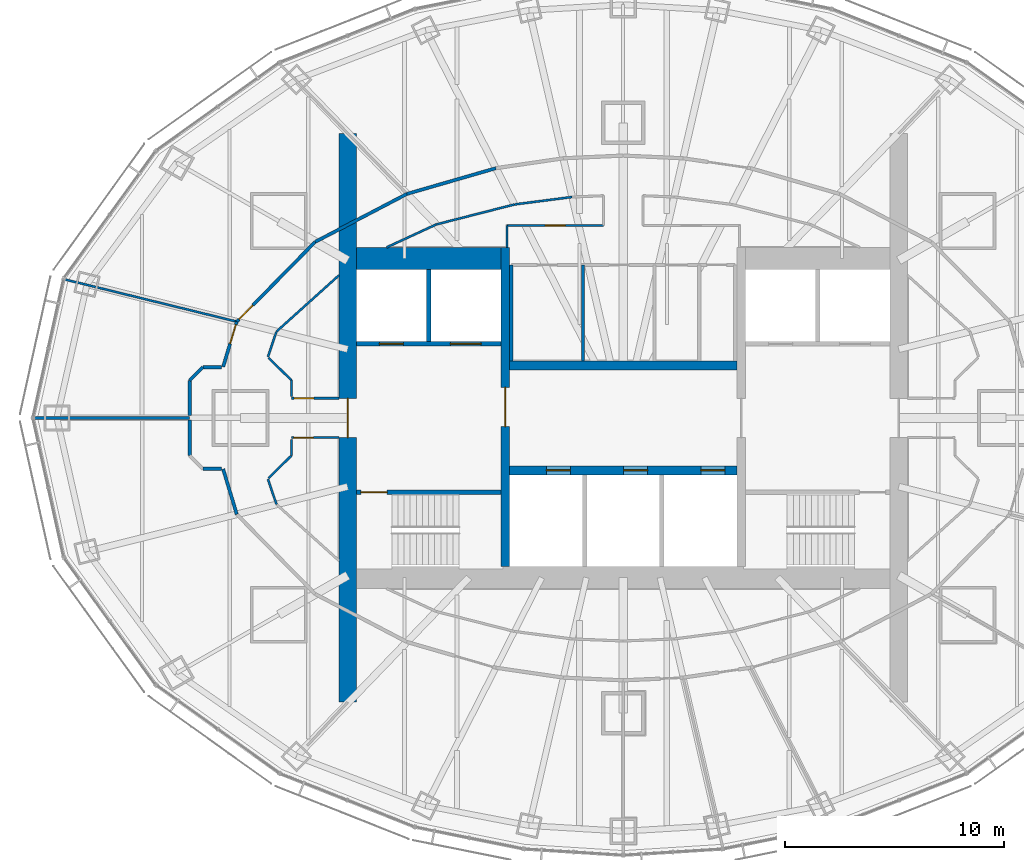
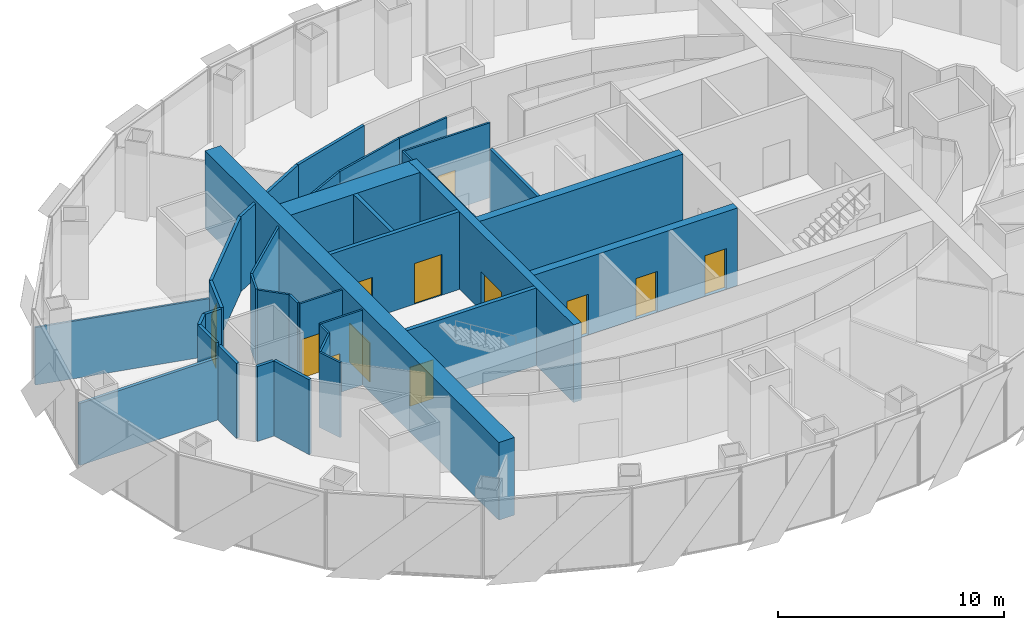
# One storey, part 12 of 17: 36 walls, 13 doors, 13 openings.
"""IFC4 building model written with IfcOpenShell, lengths in metres."""

from ifc_helpers import new_model, si_unit, direction, frame, frame_2d, origin, place, context, subcontext, project, spatial, rectangle, extrude, material, layer, layer_set, type_object, element, fill, save


model = new_model("IFC4")

# Units and contexts
model_context = context("Model", 3, precision=1e-05, world=origin(), true_north=direction((0.0, 1.0)))
body_context = subcontext(model_context, "Body", "Model", "MODEL_VIEW")
ifc_project = project(units=[si_unit("LENGTHUNIT", "METRE"), si_unit("AREAUNIT", "SQUARE_METRE"), si_unit("VOLUMEUNIT", "CUBIC_METRE"), si_unit("PLANEANGLEUNIT", "RADIAN"), si_unit("MASSUNIT", "GRAM", prefix="KILO")], contexts=[model_context])

# Site, building, storey
site_placement = place(None, origin())
site = spatial("IfcSite", under=ifc_project, at=site_placement, CompositionType="ELEMENT")
building_placement = place(site_placement, origin())
building = spatial("IfcBuilding", under=site, at=building_placement, Name="Lantaw Convention Tower", CompositionType="ELEMENT")
storey_placement = place(building_placement, frame((0.0, 0.0, 220.0)))
storey = spatial("IfcBuildingStorey", under=building, at=storey_placement, Name="L51", CompositionType="ELEMENT", Elevation=220.0)

# Wall
ifc_material_1 = material(Name="Concrete C60/75", Category="concrete")
ifc_layer_1 = layer(ifc_material_1, 1.0)
ifc_layer_set_1 = layer_set([ifc_layer_1], Name="Core wall 1000")
wall_type_1 = type_object("IfcWallType", Name="Core wall 1000", PredefinedType="SHEAR", material=ifc_layer_set_1)
wall_1_placement = place(storey_placement, frame((-5.60009765625, 7.300048828125, 0.0), z_axis=(0.0, 0.0, 1.0), x_axis=(-1.0, 0.0, 0.0)))
element("IfcWall", 1, at=wall_1_placement, inside=storey, type_object=wall_type_1, Name="Core wall NW", PredefinedType="SHEAR", context=body_context, shape_type="SweptSolid", body=[
    extrude(rectangle(XDim=6.599853515625, YDim=1.0, at=frame_2d((3.2998046875, 0.0))), origin(), (0.0, 0.0, 1.0), 4.199951171875),
])

# Wall, opening, door
ifc_layer_2 = layer(ifc_material_1, 0.199951171875)
ifc_layer_set_2 = layer_set([ifc_layer_2], Name="Core wall 200")
wall_type_2 = type_object("IfcWallType", Name="Core wall 200", PredefinedType="SHEAR", material=ifc_layer_set_2)
wall_2_placement = place(storey_placement, frame((-5.60009765625, -3.39990234375, 0.0), z_axis=(0.0, 0.0, 1.0), x_axis=(-1.0, 0.0, 0.0)))
wall_2 = element("IfcWall", 2, at=wall_2_placement, inside=storey, type_object=wall_type_2, Name="Core wall WS", PredefinedType="SHEAR", context=body_context, shape_type="SweptSolid", body=[
    extrude(rectangle(XDim=6.599853515625, YDim=0.199951171875, at=frame_2d((3.2998046875, 0.0))), origin(), (0.0, 0.0, 1.0), 4.199951171875),
])
opening_1_placement = place(wall_2_placement, frame((5.199951171875, 0.0, 0.0)))
opening_1 = element("IfcOpeningElement", 3, at=opening_1_placement, cuts=wall_2, Name="Opening L51.04", PredefinedType="OPENING", context=body_context, shape_type="SweptSolid", body=[
    extrude(rectangle(XDim=1.199951171875, YDim=2.10009765625, at=frame_2d((0.60009765625, 1.050048828125))), frame((0.0, 0.10986328125, 0.0), z_axis=(0.0, -1.0, 0.0), x_axis=(1.0, 0.0, 0.0)), (0.0, 0.0, 1.0), 0.219970703125),
])
ifc_material_2 = material(Name="Steel, fire rated", Category="steel")
door_type_1 = type_object("IfcDoorType", Name="Stair door FD90", OperationType="SINGLE_SWING_RIGHT", PredefinedType="DOOR", material=ifc_material_2)
door_1_placement = place(opening_1_placement, origin())
door_1 = element("IfcDoor", 4, at=door_1_placement, inside=storey, type_object=door_type_1, Name="Exit stair door", OperationType="SINGLE_SWING_RIGHT", OverallHeight=2.10009765625, OverallWidth=1.199951171875, PredefinedType="DOOR", context=body_context, shape_type="SweptSolid", body=[
    extrude(rectangle(XDim=1.199951171875, YDim=2.10009765625, at=frame_2d((0.60009765625, 1.050048828125))), frame((0.0, 0.02490234375, 0.0), z_axis=(0.0, -1.0, 0.0), x_axis=(1.0, 0.0, 0.0)), (0.0, 0.0, 1.0), 0.050048828125),
])
fill(opening_1, door_1)

ifc_layer_3 = layer(ifc_material_1, 0.39990234375)
ifc_layer_set_3 = layer_set([ifc_layer_3], Name="Core wall 400")
wall_type_3 = type_object("IfcWallType", Name="Core wall 400", PredefinedType="SHEAR", material=ifc_layer_set_3)
wall_3_placement = place(storey_placement, frame((-5.39990234375, 7.800048828125, 0.0), z_axis=(0.0, 0.0, 1.0), x_axis=(0.0, -1.0, 0.0)))
wall_3 = element("IfcWall", 5, at=wall_3_placement, inside=storey, type_object=wall_type_3, Name="Core wall XW", PredefinedType="SHEAR", context=body_context, shape_type="SweptSolid", body=[
    extrude(rectangle(XDim=14.60009765625, YDim=0.39990234375, at=frame_2d((7.300048828125, 0.0))), origin(), (0.0, 0.0, 1.0), 4.199951171875),
])
opening_2_placement = place(wall_3_placement, frame((6.39990234375, 0.0, 0.0)))
opening_2 = element("IfcOpeningElement", 6, at=opening_2_placement, cuts=wall_3, Name="Opening L51.02", PredefinedType="OPENING", context=body_context, shape_type="SweptSolid", body=[
    extrude(rectangle(XDim=1.800048828125, YDim=2.10009765625, at=frame_2d((0.89990234375, 1.050048828125))), frame((0.0, 0.2099609375, 0.0), z_axis=(0.0, -1.0, 0.0), x_axis=(1.0, 0.0, 0.0)), (0.0, 0.0, 1.0), 0.419921875),
])
door_type_2 = type_object("IfcDoorType", Name="Lobby double door FD90", OperationType="DOUBLE_DOOR_DOUBLE_SWING", PredefinedType="DOOR", material=ifc_material_2)
door_2_placement = place(opening_2_placement, origin())
door_2 = element("IfcDoor", 7, at=door_2_placement, inside=storey, type_object=door_type_2, Name="Lift lobby door", OperationType="DOUBLE_DOOR_DOUBLE_SWING", OverallHeight=2.10009765625, OverallWidth=1.800048828125, PredefinedType="DOOR", context=body_context, shape_type="SweptSolid", body=[
    extrude(rectangle(XDim=1.800048828125, YDim=2.10009765625, at=frame_2d((0.89990234375, 1.050048828125))), frame((0.0, 0.02490234375, 0.0), z_axis=(0.0, -1.0, 0.0), x_axis=(1.0, 0.0, 0.0)), (0.0, 0.0, 1.0), 0.050048828125),
])
fill(opening_2, door_2)

# Wall, openings, doors
wall_4_placement = place(storey_placement, frame((-5.199951171875, -2.39990234375, 0.0), z_axis=(0.0, 0.0, 1.0), x_axis=(1.0, 0.0, 0.0)))
wall_4 = element("IfcWall", 8, at=wall_4_placement, inside=storey, type_object=wall_type_3, Name="Core wall BS", PredefinedType="SHEAR", context=body_context, shape_type="SweptSolid", body=[
    extrude(rectangle(XDim=10.39990234375, YDim=0.39990234375, at=frame_2d((5.199951171875, 0.0))), origin(), (0.0, 0.0, 1.0), 4.199951171875),
])
opening_3_placement = place(wall_4_placement, frame((1.683349609375, 0.0, 0.0)))
opening_3 = element("IfcOpeningElement", 9, at=opening_3_placement, cuts=wall_4, Name="Opening L51.07", PredefinedType="OPENING", context=body_context, shape_type="SweptSolid", body=[
    extrude(rectangle(XDim=1.10009765625, YDim=2.199951171875, at=frame_2d((0.550048828125, 1.10009765625))), frame((0.0, 0.2099609375, 0.0), z_axis=(0.0, -1.0, 0.0), x_axis=(1.0, 0.0, 0.0)), (0.0, 0.0, 1.0), 0.419921875),
])
opening_4_placement = place(wall_4_placement, frame((5.216796875, 0.0, 0.0)))
opening_4 = element("IfcOpeningElement", 10, at=opening_4_placement, cuts=wall_4, Name="Opening L51.08", PredefinedType="OPENING", context=body_context, shape_type="SweptSolid", body=[
    extrude(rectangle(XDim=1.10009765625, YDim=2.199951171875, at=frame_2d((0.550048828125, 1.10009765625))), frame((0.0, 0.2099609375, 0.0), z_axis=(0.0, -1.0, 0.0), x_axis=(1.0, 0.0, 0.0)), (0.0, 0.0, 1.0), 0.419921875),
])
opening_5_placement = place(wall_4_placement, frame((8.75, 0.0, 0.0)))
opening_5 = element("IfcOpeningElement", 11, at=opening_5_placement, cuts=wall_4, Name="Opening L51.09", PredefinedType="OPENING", context=body_context, shape_type="SweptSolid", body=[
    extrude(rectangle(XDim=1.10009765625, YDim=2.199951171875, at=frame_2d((0.550048828125, 1.10009765625))), frame((0.0, 0.2099609375, 0.0), z_axis=(0.0, -1.0, 0.0), x_axis=(1.0, 0.0, 0.0)), (0.0, 0.0, 1.0), 0.419921875),
])
ifc_material_3 = material(Name="Stainless steel", Category="steel")
door_type_3 = type_object("IfcDoorType", Name="Lift landing door 1100", OperationType="DOUBLE_DOOR_SLIDING", PredefinedType="DOOR", material=ifc_material_3)
door_3_placement = place(opening_3_placement, origin())
door_3 = element("IfcDoor", 12, at=door_3_placement, inside=storey, type_object=door_type_3, Name="Lift landing door S1", OperationType="DOUBLE_DOOR_SLIDING", OverallHeight=2.199951171875, OverallWidth=1.10009765625, PredefinedType="DOOR", context=body_context, shape_type="SweptSolid", body=[
    extrude(rectangle(XDim=1.10009765625, YDim=2.199951171875, at=frame_2d((0.550048828125, 1.10009765625))), frame((0.0, 0.02490234375, 0.0), z_axis=(0.0, -1.0, 0.0), x_axis=(1.0, 0.0, 0.0)), (0.0, 0.0, 1.0), 0.050048828125),
])
fill(opening_3, door_3)
door_4_placement = place(opening_4_placement, origin())
door_4 = element("IfcDoor", 13, at=door_4_placement, inside=storey, type_object=door_type_3, Name="Lift landing door S2", OperationType="DOUBLE_DOOR_SLIDING", OverallHeight=2.199951171875, OverallWidth=1.10009765625, PredefinedType="DOOR", context=body_context, shape_type="SweptSolid", body=[
    extrude(rectangle(XDim=1.10009765625, YDim=2.199951171875, at=frame_2d((0.550048828125, 1.10009765625))), frame((0.0, 0.02490234375, 0.0), z_axis=(0.0, -1.0, 0.0), x_axis=(1.0, 0.0, 0.0)), (0.0, 0.0, 1.0), 0.050048828125),
])
fill(opening_4, door_4)
door_5_placement = place(opening_5_placement, origin())
door_5 = element("IfcDoor", 14, at=door_5_placement, inside=storey, type_object=door_type_3, Name="Lift landing door S3", OperationType="DOUBLE_DOOR_SLIDING", OverallHeight=2.199951171875, OverallWidth=1.10009765625, PredefinedType="DOOR", context=body_context, shape_type="SweptSolid", body=[
    extrude(rectangle(XDim=1.10009765625, YDim=2.199951171875, at=frame_2d((0.550048828125, 1.10009765625))), frame((0.0, 0.02490234375, 0.0), z_axis=(0.0, -1.0, 0.0), x_axis=(1.0, 0.0, 0.0)), (0.0, 0.0, 1.0), 0.050048828125),
])
fill(opening_5, door_5)

# Wall
wall_5_placement = place(storey_placement, frame((5.199951171875, 2.39990234375, 0.0), z_axis=(0.0, 0.0, 1.0), x_axis=(-1.0, 0.0, 0.0)))
element("IfcWall", 15, at=wall_5_placement, inside=storey, type_object=wall_type_3, Name="Core wall BN", PredefinedType="SHEAR", context=body_context, shape_type="SweptSolid", body=[
    extrude(rectangle(XDim=10.39990234375, YDim=0.39990234375, at=frame_2d((5.199951171875, 0.0))), origin(), (0.0, 0.0, 1.0), 4.199951171875),
])

# Wall, opening, door
ifc_layer_4 = layer(ifc_material_1, 0.800048828125)
ifc_layer_set_4 = layer_set([ifc_layer_4], Name="Core wall 800")
wall_type_4 = type_object("IfcWallType", Name="Core wall 800", PredefinedType="SHEAR", material=ifc_layer_set_4)
wall_6_placement = place(storey_placement, frame((-12.60009765625, 13.0, 0.0), z_axis=(0.0, 0.0, 1.0), x_axis=(0.0, -1.0, 0.0)))
wall_6 = element("IfcWall", 16, at=wall_6_placement, inside=storey, type_object=wall_type_4, Name="Core wall W", PredefinedType="SHEAR", context=body_context, shape_type="SweptSolid", body=[
    extrude(rectangle(XDim=26.0, YDim=0.800048828125, at=frame_2d((13.0, 0.0))), origin(), (0.0, 0.0, 1.0), 4.199951171875),
])
opening_6_placement = place(wall_6_placement, frame((12.10009765625, 0.0, 0.0)))
opening_6 = element("IfcOpeningElement", 17, at=opening_6_placement, cuts=wall_6, Name="Opening L51.06", PredefinedType="OPENING", context=body_context, shape_type="SweptSolid", body=[
    extrude(rectangle(XDim=1.800048828125, YDim=2.10009765625, at=frame_2d((0.89990234375, 1.050048828125))), frame((0.0, 0.409912109375, 0.0), z_axis=(0.0, -1.0, 0.0), x_axis=(1.0, 0.0, 0.0)), (0.0, 0.0, 1.0), 0.820068359375),
])
door_6_placement = place(opening_6_placement, origin())
door_6 = element("IfcDoor", 18, at=door_6_placement, inside=storey, type_object=door_type_2, Name="Firefighting lobby door", OperationType="DOUBLE_DOOR_DOUBLE_SWING", OverallHeight=2.10009765625, OverallWidth=1.800048828125, PredefinedType="DOOR", context=body_context, shape_type="SweptSolid", body=[
    extrude(rectangle(XDim=1.800048828125, YDim=2.10009765625, at=frame_2d((0.89990234375, 1.050048828125))), frame((0.0, 0.02490234375, 0.0), z_axis=(0.0, -1.0, 0.0), x_axis=(1.0, 0.0, 0.0)), (0.0, 0.0, 1.0), 0.050048828125),
])
fill(opening_6, door_6)

# Walls
ifc_material_4 = material(Name="Gypsum board on steel studs, fire rated", Category="steel")
ifc_layer_5 = layer(ifc_material_4, 0.14990234375)
ifc_layer_set_5 = layer_set([ifc_layer_5], Name="Corridor wall 150 EI 60")
wall_type_5 = type_object("IfcWallType", Name="Corridor wall 150 EI 60", PredefinedType="PARTITIONING", material=ifc_layer_set_5)
wall_7_placement = place(storey_placement, frame((-5.8203125, 11.423095703125, 0.0), z_axis=(0.0, 0.0, 1.0), x_axis=(-0.960614838378, -0.27788330696, 0.0)))
element("IfcWall", 19, at=wall_7_placement, inside=storey, type_object=wall_type_5, Name="Corridor wall 150", PredefinedType="PARTITIONING", context=body_context, shape_type="SweptSolid", body=[
    extrude(rectangle(XDim=4.239990234375, YDim=0.14990234375, at=frame_2d((2.1201171875, 0.0))), origin(), (0.0, 0.0, 1.0), 4.050048828125),
])
wall_8_placement = place(storey_placement, frame((-9.893310546875, 10.244873046875, 0.0), z_axis=(0.0, 0.0, 1.0), x_axis=(-0.886174439647, -0.463351769735, 0.0)))
element("IfcWall", 20, at=wall_8_placement, inside=storey, type_object=wall_type_5, Name="Corridor wall 150", PredefinedType="PARTITIONING", context=body_context, shape_type="SweptSolid", body=[
    extrude(rectangle(XDim=4.734619140625, YDim=0.14990234375, at=frame_2d((2.3671875, 0.0))), origin(), (0.0, 0.0, 1.0), 4.050048828125),
])

# Wall, opening, door
wall_9_placement = place(storey_placement, frame((-14.089111328125, 8.051025390625, 0.0), z_axis=(0.0, 0.0, 1.0), x_axis=(-0.701111216625, -0.713051934941, 0.0)))
wall_9 = element("IfcWall", 21, at=wall_9_placement, inside=storey, type_object=wall_type_5, Name="Corridor wall 150", PredefinedType="PARTITIONING", context=body_context, shape_type="SweptSolid", body=[
    extrude(rectangle(XDim=5.111572265625, YDim=0.14990234375, at=frame_2d((2.5556640625, 0.0))), origin(), (0.0, 0.0, 1.0), 4.050048828125),
])
opening_7_placement = place(wall_9_placement, frame((4.061279296875, 0.0, 0.0)))
opening_7 = element("IfcOpeningElement", 22, at=opening_7_placement, cuts=wall_9, Name="Opening L51.26", PredefinedType="OPENING", context=body_context, shape_type="SweptSolid", body=[
    extrude(rectangle(XDim=0.89990234375, YDim=2.10009765625, at=frame_2d((0.449951171875, 1.050048828125))), frame((0.0, 0.0849609375, 0.0), z_axis=(0.0, -1.0, 0.0), x_axis=(1.0, 0.0, 0.0)), (0.0, 0.0, 1.0), 0.169921875),
])
door_type_4 = type_object("IfcDoorType", Name="Office door 900 FD30", OperationType="SINGLE_SWING_LEFT", PredefinedType="DOOR", material=ifc_material_2)
door_7_placement = place(opening_7_placement, origin())
door_7 = element("IfcDoor", 23, at=door_7_placement, inside=storey, type_object=door_type_4, Name="Boardroom door", OperationType="SINGLE_SWING_LEFT", OverallHeight=2.10009765625, OverallWidth=0.89990234375, PredefinedType="DOOR", context=body_context, shape_type="SweptSolid", body=[
    extrude(rectangle(XDim=0.89990234375, YDim=2.10009765625, at=frame_2d((0.449951171875, 1.050048828125))), frame((0.0, 0.02490234375, 0.0), z_axis=(0.0, -1.0, 0.0), x_axis=(1.0, 0.0, 0.0)), (0.0, 0.0, 1.0), 0.050048828125),
])
fill(opening_7, door_7)

wall_10_placement = place(storey_placement, frame((-17.6728515625, 4.40625, 0.0), z_axis=(0.0, 0.0, 1.0), x_axis=(-0.288362447016, -0.957521330912, 0.0)))
wall_10 = element("IfcWall", 24, at=wall_10_placement, inside=storey, type_object=wall_type_5, Name="Corridor wall 150", PredefinedType="PARTITIONING", context=body_context, shape_type="SweptSolid", body=[
    extrude(rectangle(XDim=2.1630859375, YDim=0.14990234375, at=frame_2d((1.08154296875, 0.0))), origin(), (0.0, 0.0, 1.0), 4.050048828125),
])
opening_8_placement = place(wall_10_placement, frame((0.14990234375, 0.0, 0.0)))
opening_8 = element("IfcOpeningElement", 25, at=opening_8_placement, cuts=wall_10, Name="Opening L51.27", PredefinedType="OPENING", context=body_context, shape_type="SweptSolid", body=[
    extrude(rectangle(XDim=0.89990234375, YDim=2.10009765625, at=frame_2d((0.449951171875, 1.050048828125))), frame((0.0, 0.0849609375, 0.0), z_axis=(0.0, -1.0, 0.0), x_axis=(1.0, 0.0, 0.0)), (0.0, 0.0, 1.0), 0.169921875),
])
door_8_placement = place(opening_8_placement, origin())
door_8 = element("IfcDoor", 26, at=door_8_placement, inside=storey, type_object=door_type_4, Name="Pantry door", OperationType="SINGLE_SWING_LEFT", OverallHeight=2.10009765625, OverallWidth=0.89990234375, PredefinedType="DOOR", context=body_context, shape_type="SweptSolid", body=[
    extrude(rectangle(XDim=0.89990234375, YDim=2.10009765625, at=frame_2d((0.449951171875, 1.050048828125))), frame((0.0, 0.02490234375, 0.0), z_axis=(0.0, -1.0, 0.0), x_axis=(1.0, 0.0, 0.0)), (0.0, 0.0, 1.0), 0.050048828125),
])
fill(opening_8, door_8)

# Walls
wall_11_placement = place(storey_placement, frame((-18.296630859375, -2.3349609375, 0.0), z_axis=(0.0, 0.0, 1.0), x_axis=(0.288362447016, -0.957521330912, 0.0)))
element("IfcWall", 27, at=wall_11_placement, inside=storey, type_object=wall_type_5, Name="Corridor wall 150", PredefinedType="PARTITIONING", context=body_context, shape_type="SweptSolid", body=[
    extrude(rectangle(XDim=2.1630859375, YDim=0.14990234375, at=frame_2d((1.08154296875, 0.0))), origin(), (0.0, 0.0, 1.0), 4.050048828125),
])
wall_12_placement = place(storey_placement, frame((-19.824951171875, 0.103271484375, 0.0), z_axis=(0.0, 0.0, 1.0), x_axis=(0.0, 1.0, 0.0)))
element("IfcWall", 28, at=wall_12_placement, inside=storey, type_object=wall_type_5, Name="Corridor wall 150", PredefinedType="PARTITIONING", context=body_context, shape_type="SweptSolid", body=[
    extrude(rectangle(XDim=1.621337890625, YDim=0.14990234375, at=frame_2d((0.810546875, 0.0))), origin(), (0.0, 0.0, 1.0), 4.050048828125),
])
wall_13_placement = place(storey_placement, frame((-19.824951171875, 1.724609375, 0.0), z_axis=(0.0, 0.0, 1.0), x_axis=(0.707106781187, 0.707106781187, 0.0)))
element("IfcWall", 29, at=wall_13_placement, inside=storey, type_object=wall_type_5, Name="Corridor wall 150", PredefinedType="PARTITIONING", context=body_context, shape_type="SweptSolid", body=[
    extrude(rectangle(XDim=0.84912109375, YDim=0.14990234375, at=frame_2d((0.424560546875, 0.0))), origin(), (0.0, 0.0, 1.0), 4.050048828125),
])
for number, where, z_axis, x_axis, name in (
    (30, (-19.224609375, 2.324951171875, 0.0), (0.0, 0.0, 1.0), (1.0, 0.0, 0.0), "Corridor wall 150"),
    (31, (-18.367431640625, -2.324951171875, 0.0), (0.0, 0.0, 1.0), (-1.0, 0.0, 0.0), "Corridor wall 150"),
):
    element("IfcWall", number, at=place(storey_placement, frame(where, z_axis=z_axis, x_axis=x_axis)), inside=storey, type_object=wall_type_5, Name=name, PredefinedType="PARTITIONING", context=body_context, shape_type="SweptSolid", body=[
        extrude(rectangle(XDim=0.857177734375, YDim=0.14990234375, at=frame_2d((0.4287109375, 0.0))), origin(), (0.0, 0.0, 1.0), 4.050048828125),
    ])
wall_14_placement = place(storey_placement, frame((-19.824951171875, -1.724609375, 0.0), z_axis=(0.0, 0.0, 1.0), x_axis=(0.0, 1.0, 0.0)))
element("IfcWall", 32, at=wall_14_placement, inside=storey, type_object=wall_type_5, Name="Corridor wall 150", PredefinedType="PARTITIONING", context=body_context, shape_type="SweptSolid", body=[
    extrude(rectangle(XDim=1.621337890625, YDim=0.14990234375, at=frame_2d((0.810546875, 0.0))), origin(), (0.0, 0.0, 1.0), 4.050048828125),
])
ifc_material_5 = material(Name="Gypsum board on steel studs, acoustic", Category="steel")
ifc_layer_6 = layer(ifc_material_5, 0.10009765625)
ifc_layer_set_6 = layer_set([ifc_layer_6], Name="Office partition 100")
wall_type_6 = type_object("IfcWallType", Name="Office partition 100", PredefinedType="PARTITIONING", material=ifc_layer_set_6)
wall_15_placement = place(storey_placement, frame((-25.542724609375, 6.335693359375, 0.0), z_axis=(0.0, 0.0, 1.0), x_axis=(0.97123661777, -0.238116425942, 0.0)))
element("IfcWall", 33, at=wall_15_placement, inside=storey, type_object=wall_type_6, Name="Office partition 100", PredefinedType="PARTITIONING", context=body_context, shape_type="SweptSolid", body=[
    extrude(rectangle(XDim=8.10302734375, YDim=0.10009765625, at=frame_2d((4.051513671875, 0.0))), origin(), (0.0, 0.0, 1.0), 3.107666015625),
])
wall_16_placement = place(storey_placement, frame((-10.822509765625, 7.800048828125, 0.0), z_axis=(0.0, 0.0, 1.0), x_axis=(0.907759689292, 0.419490579748, 0.0)))
element("IfcWall", 34, at=wall_16_placement, inside=storey, type_object=wall_type_6, Name="Office partition 100", PredefinedType="PARTITIONING", context=body_context, shape_type="SweptSolid", body=[
    extrude(rectangle(XDim=2.506103515625, YDim=0.10009765625, at=frame_2d((1.2529296875, 0.0))), origin(), (0.0, 0.0, 1.0), 4.050048828125),
])
wall_17_placement = place(storey_placement, frame((-8.547607421875, 8.851318359375, 0.0), z_axis=(0.0, 0.0, 1.0), x_axis=(0.968887312542, 0.247502273921, 0.0)))
element("IfcWall", 35, at=wall_17_placement, inside=storey, type_object=wall_type_6, Name="Office partition 100", PredefinedType="PARTITIONING", context=body_context, shape_type="SweptSolid", body=[
    extrude(rectangle(XDim=3.687255859375, YDim=0.10009765625, at=frame_2d((1.84375, 0.0))), origin(), (0.0, 0.0, 1.0), 4.050048828125),
])
wall_18_placement = place(storey_placement, frame((-4.97509765625, 9.763916015625, 0.0), z_axis=(0.0, 0.0, 1.0), x_axis=(0.99173579163, 0.128296997624, 0.0)))
element("IfcWall", 36, at=wall_18_placement, inside=storey, type_object=wall_type_6, Name="Office partition 100", PredefinedType="PARTITIONING", context=body_context, shape_type="SweptSolid", body=[
    extrude(rectangle(XDim=2.6640625, YDim=0.10009765625, at=frame_2d((1.33203125, 0.0))), origin(), (0.0, 0.0, 1.0), 4.050048828125),
])

# Wall, opening, door
wall_19_placement = place(storey_placement, frame((-0.89990234375, 8.800048828125, 0.0), z_axis=(0.0, 0.0, 1.0), x_axis=(-1.0, 0.0, 0.0)))
wall_19 = element("IfcWall", 37, at=wall_19_placement, inside=storey, type_object=wall_type_6, Name="Office partition 100", PredefinedType="PARTITIONING", context=body_context, shape_type="SweptSolid", body=[
    extrude(rectangle(XDim=4.420166015625, YDim=0.10009765625, at=frame_2d((2.2099609375, 0.0))), origin(), (0.0, 0.0, 1.0), 4.050048828125),
])
opening_9_placement = place(wall_19_placement, frame((1.760009765625, 0.0, 0.0)))
opening_9 = element("IfcOpeningElement", 38, at=opening_9_placement, cuts=wall_19, Name="Opening L51.23", PredefinedType="OPENING", context=body_context, shape_type="SweptSolid", body=[
    extrude(rectangle(XDim=0.89990234375, YDim=2.10009765625, at=frame_2d((0.449951171875, 1.050048828125))), frame((0.0, 0.06005859375, 0.0), z_axis=(0.0, -1.0, 0.0), x_axis=(1.0, 0.0, 0.0)), (0.0, 0.0, 1.0), 0.1201171875),
])
ifc_material_6 = material(Name="Timber", Category="wood")
door_type_5 = type_object("IfcDoorType", Name="Office door 900", OperationType="SINGLE_SWING_LEFT", PredefinedType="DOOR", material=ifc_material_6)
door_9_placement = place(opening_9_placement, origin())
door_9 = element("IfcDoor", 39, at=door_9_placement, inside=storey, type_object=door_type_5, Name="Project room door", OperationType="SINGLE_SWING_LEFT", OverallHeight=2.10009765625, OverallWidth=0.89990234375, PredefinedType="DOOR", context=body_context, shape_type="SweptSolid", body=[
    extrude(rectangle(XDim=0.89990234375, YDim=2.10009765625, at=frame_2d((0.449951171875, 1.050048828125))), frame((0.0, 0.02490234375, 0.0), z_axis=(0.0, -1.0, 0.0), x_axis=(1.0, 0.0, 0.0)), (0.0, 0.0, 1.0), 0.050048828125),
])
fill(opening_9, door_9)

# Walls
wall_20_placement = place(storey_placement, frame((-5.320068359375, 8.800048828125, 0.0), z_axis=(0.0, 0.0, 1.0), x_axis=(0.0, -1.0, 0.0)))
element("IfcWall", 40, at=wall_20_placement, inside=storey, type_object=wall_type_6, Name="Office partition 100", PredefinedType="PARTITIONING", context=body_context, shape_type="SweptSolid", body=[
    extrude(rectangle(XDim=1.0, YDim=0.10009765625, at=frame_2d((0.5, 0.0))), origin(), (0.0, 0.0, 1.0), 4.050048828125),
])
wall_21_placement = place(storey_placement, frame((-15.855712890625, 3.953369140625, 0.0), z_axis=(0.0, 0.0, 1.0), x_axis=(0.743177243228, 0.669094601046, 0.0)))
element("IfcWall", 41, at=wall_21_placement, inside=storey, type_object=wall_type_6, Name="Office partition 100", PredefinedType="PARTITIONING", context=body_context, shape_type="SweptSolid", body=[
    extrude(rectangle(XDim=3.842529296875, YDim=0.10009765625, at=frame_2d((1.92138671875, 0.0))), origin(), (0.0, 0.0, 1.0), 4.050048828125),
])
wall_22_placement = place(storey_placement, frame((-15.855712890625, -3.953369140625, 0.0), z_axis=(0.0, 0.0, 1.0), x_axis=(-0.321913473529, 0.946769093053, 0.0)))
element("IfcWall", 42, at=wall_22_placement, inside=storey, type_object=wall_type_6, Name="Office partition 100", PredefinedType="PARTITIONING", context=body_context, shape_type="SweptSolid", body=[
    extrude(rectangle(XDim=1.22265625, YDim=0.10009765625, at=frame_2d((0.611328125, 0.0))), origin(), (0.0, 0.0, 1.0), 4.050048828125),
])

# Wall, opening, door
wall_23_placement = place(storey_placement, frame((-15.1650390625, -0.89990234375, 0.0), z_axis=(0.0, 0.0, 1.0), x_axis=(1.0, 0.0, 0.0)))
wall_23 = element("IfcWall", 43, at=wall_23_placement, inside=storey, type_object=wall_type_6, Name="Office partition 100", PredefinedType="PARTITIONING", context=body_context, shape_type="SweptSolid", body=[
    extrude(rectangle(XDim=2.1650390625, YDim=0.10009765625, at=frame_2d((1.08251953125, 0.0))), origin(), (0.0, 0.0, 1.0), 4.050048828125),
])
opening_10_placement = place(wall_23_placement, frame((0.10009765625, 0.0, 0.0)))
opening_10 = element("IfcOpeningElement", 44, at=opening_10_placement, cuts=wall_23, Name="Opening L51.18", PredefinedType="OPENING", context=body_context, shape_type="SweptSolid", body=[
    extrude(rectangle(XDim=0.89990234375, YDim=2.10009765625, at=frame_2d((0.449951171875, 1.050048828125))), frame((0.0, 0.06005859375, 0.0), z_axis=(0.0, -1.0, 0.0), x_axis=(1.0, 0.0, 0.0)), (0.0, 0.0, 1.0), 0.1201171875),
])
door_10_placement = place(opening_10_placement, origin())
door_10 = element("IfcDoor", 45, at=door_10_placement, inside=storey, type_object=door_type_5, Name="Meeting room door", OperationType="SINGLE_SWING_LEFT", OverallHeight=2.10009765625, OverallWidth=0.89990234375, PredefinedType="DOOR", context=body_context, shape_type="SweptSolid", body=[
    extrude(rectangle(XDim=0.89990234375, YDim=2.10009765625, at=frame_2d((0.449951171875, 1.050048828125))), frame((0.0, 0.02490234375, 0.0), z_axis=(0.0, -1.0, 0.0), x_axis=(1.0, 0.0, 0.0)), (0.0, 0.0, 1.0), 0.050048828125),
])
fill(opening_10, door_10)

wall_24_placement = place(storey_placement, frame((-13.0, 0.89990234375, 0.0), z_axis=(0.0, 0.0, 1.0), x_axis=(-1.0, 0.0, 0.0)))
wall_24 = element("IfcWall", 46, at=wall_24_placement, inside=storey, type_object=wall_type_6, Name="Office partition 100", PredefinedType="PARTITIONING", context=body_context, shape_type="SweptSolid", body=[
    extrude(rectangle(XDim=2.1650390625, YDim=0.10009765625, at=frame_2d((1.08251953125, 0.0))), origin(), (0.0, 0.0, 1.0), 4.050048828125),
])
opening_11_placement = place(wall_24_placement, frame((1.14990234375, 0.0, 0.0)))
opening_11 = element("IfcOpeningElement", 47, at=opening_11_placement, cuts=wall_24, Name="Opening L51.24", PredefinedType="OPENING", context=body_context, shape_type="SweptSolid", body=[
    extrude(rectangle(XDim=0.89990234375, YDim=2.10009765625, at=frame_2d((0.449951171875, 1.050048828125))), frame((0.0, 0.06005859375, 0.0), z_axis=(0.0, -1.0, 0.0), x_axis=(1.0, 0.0, 0.0)), (0.0, 0.0, 1.0), 0.1201171875),
])
door_11_placement = place(opening_11_placement, origin())
door_11 = element("IfcDoor", 48, at=door_11_placement, inside=storey, type_object=door_type_5, Name="Meeting room door", OperationType="SINGLE_SWING_LEFT", OverallHeight=2.10009765625, OverallWidth=0.89990234375, PredefinedType="DOOR", context=body_context, shape_type="SweptSolid", body=[
    extrude(rectangle(XDim=0.89990234375, YDim=2.10009765625, at=frame_2d((0.449951171875, 1.050048828125))), frame((0.0, 0.02490234375, 0.0), z_axis=(0.0, -1.0, 0.0), x_axis=(1.0, 0.0, 0.0)), (0.0, 0.0, 1.0), 0.050048828125),
])
fill(opening_11, door_11)

# Walls
wall_25_placement = place(storey_placement, frame((-16.249267578125, 2.7958984375, 0.0), z_axis=(0.0, 0.0, 1.0), x_axis=(0.321913473529, 0.946769093053, 0.0)))
element("IfcWall", 49, at=wall_25_placement, inside=storey, type_object=wall_type_6, Name="Office partition 100", PredefinedType="PARTITIONING", context=body_context, shape_type="SweptSolid", body=[
    extrude(rectangle(XDim=1.22265625, YDim=0.10009765625, at=frame_2d((0.611328125, 0.0))), origin(), (0.0, 0.0, 1.0), 4.050048828125),
])
wall_26_placement = place(storey_placement, frame((-15.175048828125, -0.978271484375, 0.0), z_axis=(0.0, 0.0, 1.0), x_axis=(0.0, -1.0, 0.0)))
element("IfcWall", 50, at=wall_26_placement, inside=storey, type_object=wall_type_6, Name="Office partition 100", PredefinedType="PARTITIONING", context=body_context, shape_type="SweptSolid", body=[
    extrude(rectangle(XDim=0.746337890625, YDim=0.10009765625, at=frame_2d((0.373046875, 0.0))), origin(), (0.0, 0.0, 1.0), 4.050048828125),
])
for number, where, z_axis, x_axis, name in (
    (51, (-15.175048828125, -1.724609375, 0.0), (0.0, 0.0, 1.0), (-0.712897698193, -0.701268045694, 0.0), "Office partition 100"),
    (52, (-16.22265625, 2.755126953125, 0.0), (0.0, 0.0, 1.0), (0.712897698193, -0.701268045694, 0.0), "Office partition 100"),
):
    element("IfcWall", number, at=place(storey_placement, frame(where, z_axis=z_axis, x_axis=x_axis)), inside=storey, type_object=wall_type_6, Name=name, PredefinedType="PARTITIONING", context=body_context, shape_type="SweptSolid", body=[
        extrude(rectangle(XDim=1.469482421875, YDim=0.10009765625, at=frame_2d((0.73486328125, 0.0))), origin(), (0.0, 0.0, 1.0), 4.050048828125),
    ])
wall_27_placement = place(storey_placement, frame((-15.175048828125, 1.724609375, 0.0), z_axis=(0.0, 0.0, 1.0), x_axis=(0.0, -1.0, 0.0)))
element("IfcWall", 53, at=wall_27_placement, inside=storey, type_object=wall_type_6, Name="Office partition 100", PredefinedType="PARTITIONING", context=body_context, shape_type="SweptSolid", body=[
    extrude(rectangle(XDim=0.746337890625, YDim=0.10009765625, at=frame_2d((0.373046875, 0.0))), origin(), (0.0, 0.0, 1.0), 4.050048828125),
])

# Wall, openings, doors
ifc_material_7 = material(Name="Concrete blockwork, fire rated", Category="masonry")
ifc_layer_7 = layer(ifc_material_7, 0.199951171875)
ifc_layer_set_7 = layer_set([ifc_layer_7], Name="Shaft wall 200")
wall_type_7 = type_object("IfcWallType", Name="Shaft wall 200", PredefinedType="SOLIDWALL", material=ifc_layer_set_7)
wall_28_placement = place(storey_placement, frame((-12.199951171875, 3.39990234375, 0.0), z_axis=(0.0, 0.0, 1.0), x_axis=(1.0, 0.0, 0.0)))
wall_28 = element("IfcWall", 54, at=wall_28_placement, inside=storey, type_object=wall_type_7, Name="Shaft wall WN", PredefinedType="SOLIDWALL", context=body_context, shape_type="SweptSolid", body=[
    extrude(rectangle(XDim=6.599853515625, YDim=0.199951171875, at=frame_2d((3.2998046875, 0.0))), origin(), (0.0, 0.0, 1.0), 4.199951171875),
])
opening_12_placement = place(wall_28_placement, frame((1.050048828125, 0.0, 0.0)))
opening_12 = element("IfcOpeningElement", 55, at=opening_12_placement, cuts=wall_28, Name="Opening L51.10", PredefinedType="OPENING", context=body_context, shape_type="SweptSolid", body=[
    extrude(rectangle(XDim=1.10009765625, YDim=2.199951171875, at=frame_2d((0.550048828125, 1.10009765625))), frame((0.0, 0.10986328125, 0.0), z_axis=(0.0, -1.0, 0.0), x_axis=(1.0, 0.0, 0.0)), (0.0, 0.0, 1.0), 0.219970703125),
])
opening_13_placement = place(wall_28_placement, frame((4.300048828125, 0.0, 0.0)))
opening_13 = element("IfcOpeningElement", 56, at=opening_13_placement, cuts=wall_28, Name="Opening L51.11", PredefinedType="OPENING", context=body_context, shape_type="SweptSolid", body=[
    extrude(rectangle(XDim=1.39990234375, YDim=2.199951171875, at=frame_2d((0.699951171875, 1.10009765625))), frame((0.0, 0.10986328125, 0.0), z_axis=(0.0, -1.0, 0.0), x_axis=(1.0, 0.0, 0.0)), (0.0, 0.0, 1.0), 0.219970703125),
])
door_12_placement = place(opening_12_placement, origin())
door_12 = element("IfcDoor", 57, at=door_12_placement, inside=storey, type_object=door_type_3, Name="Lift landing door FF1", OperationType="DOUBLE_DOOR_SLIDING", OverallHeight=2.199951171875, OverallWidth=1.10009765625, PredefinedType="DOOR", context=body_context, shape_type="SweptSolid", body=[
    extrude(rectangle(XDim=1.10009765625, YDim=2.199951171875, at=frame_2d((0.550048828125, 1.10009765625))), frame((0.0, 0.02490234375, 0.0), z_axis=(0.0, -1.0, 0.0), x_axis=(1.0, 0.0, 0.0)), (0.0, 0.0, 1.0), 0.050048828125),
])
fill(opening_12, door_12)
door_type_6 = type_object("IfcDoorType", Name="Lift landing door 1400", OperationType="DOUBLE_DOOR_SLIDING", PredefinedType="DOOR", material=ifc_material_3)
door_13_placement = place(opening_13_placement, origin())
door_13 = element("IfcDoor", 58, at=door_13_placement, inside=storey, type_object=door_type_6, Name="Lift landing door SV1", OperationType="DOUBLE_DOOR_SLIDING", OverallHeight=2.199951171875, OverallWidth=1.39990234375, PredefinedType="DOOR", context=body_context, shape_type="SweptSolid", body=[
    extrude(rectangle(XDim=1.39990234375, YDim=2.199951171875, at=frame_2d((0.699951171875, 1.10009765625))), frame((0.0, 0.02490234375, 0.0), z_axis=(0.0, -1.0, 0.0), x_axis=(1.0, 0.0, 0.0)), (0.0, 0.0, 1.0), 0.050048828125),
])
fill(opening_13, door_13)

# Walls
wall_29_placement = place(storey_placement, frame((-8.89990234375, 3.5, 0.0), z_axis=(0.0, 0.0, 1.0), x_axis=(0.0, 1.0, 0.0)))
element("IfcWall", 59, at=wall_29_placement, inside=storey, type_object=wall_type_7, Name="Shaft wall WD", PredefinedType="SOLIDWALL", context=body_context, shape_type="SweptSolid", body=[
    extrude(rectangle(XDim=3.300048828125, YDim=0.199951171875, at=frame_2d((1.64990234375, 0.0))), origin(), (0.0, 0.0, 1.0), 4.199951171875),
])
ifc_layer_8 = layer(ifc_material_4, 0.14990234375)
ifc_layer_set_8 = layer_set([ifc_layer_8], Name="Tenant separation wall 150 EI 60")
wall_type_8 = type_object("IfcWallType", Name="Tenant separation wall 150 EI 60", PredefinedType="PARTITIONING", material=ifc_layer_set_8)
wall_30_placement = place(storey_placement, frame((-26.944091796875, 0.0, 0.0), z_axis=(0.0, 0.0, 1.0), x_axis=(1.0, 0.0, 0.0)))
element("IfcWall", 60, at=wall_30_placement, inside=storey, type_object=wall_type_8, Name="Tenant separation wall 150", PredefinedType="PARTITIONING", context=body_context, shape_type="SweptSolid", body=[
    extrude(rectangle(XDim=7.109130859375, YDim=0.14990234375, at=frame_2d((3.5546875, 0.0))), origin(), (0.0, 0.0, 1.0), 3.348876953125),
])
ifc_material_8 = material(Name="Concrete blockwork", Category="masonry")
ifc_layer_9 = layer(ifc_material_8, 0.14990234375)
ifc_layer_set_9 = layer_set([ifc_layer_9], Name="WC wall 150")
wall_type_9 = type_object("IfcWallType", Name="WC wall 150", PredefinedType="SOLIDWALL", material=ifc_layer_set_9)
for number, where, z_axis, x_axis, name in (
    (61, (-5.1201171875, 2.60009765625, 0.0), (0.0, 0.0, 1.0), (0.0, 1.0, 0.0), "WC wall 150"),
    (62, (-1.84326171875, 2.60009765625, 0.0), (0.0, 0.0, 1.0), (0.0, 1.0, 0.0), "WC wall 150"),
):
    element("IfcWall", number, at=place(storey_placement, frame(where, z_axis=z_axis, x_axis=x_axis)), inside=storey, type_object=wall_type_9, Name=name, PredefinedType="SOLIDWALL", context=body_context, shape_type="SweptSolid", body=[
        extrude(rectangle(XDim=4.39990234375, YDim=0.14990234375, at=frame_2d((2.199951171875, 0.0))), origin(), (0.0, 0.0, 1.0), 4.050048828125),
    ])

save(model, "model.ifc")
